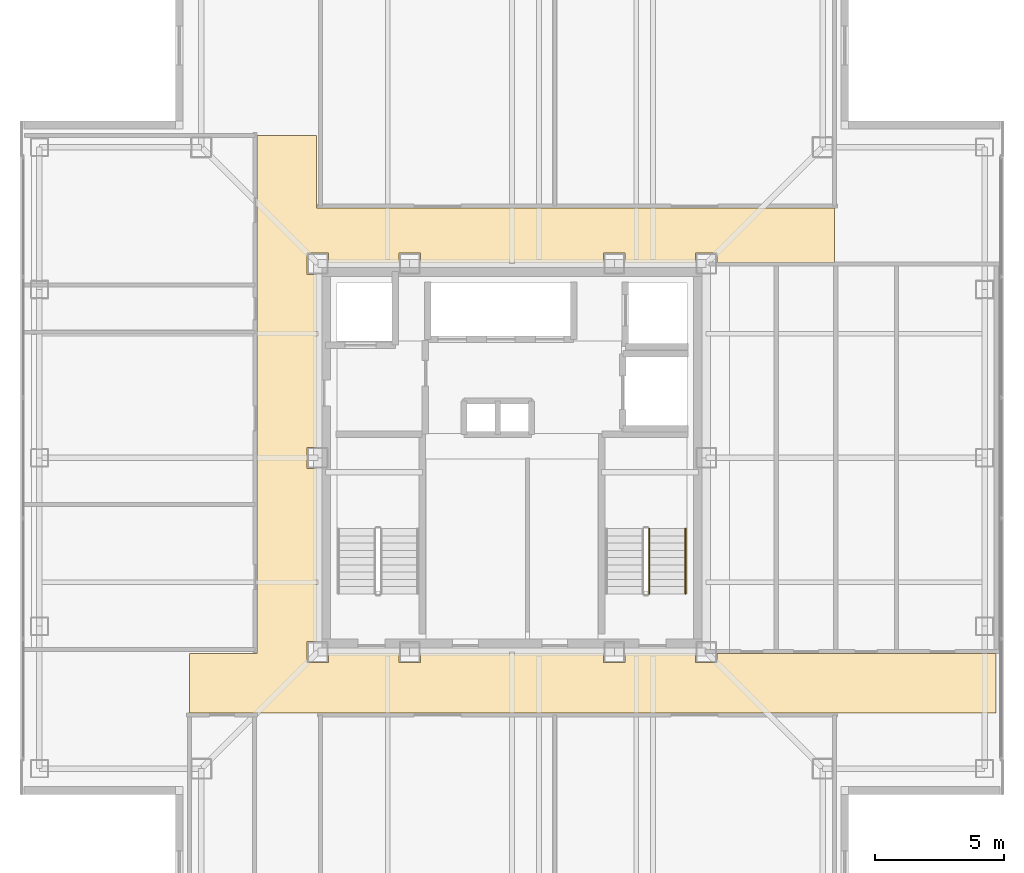
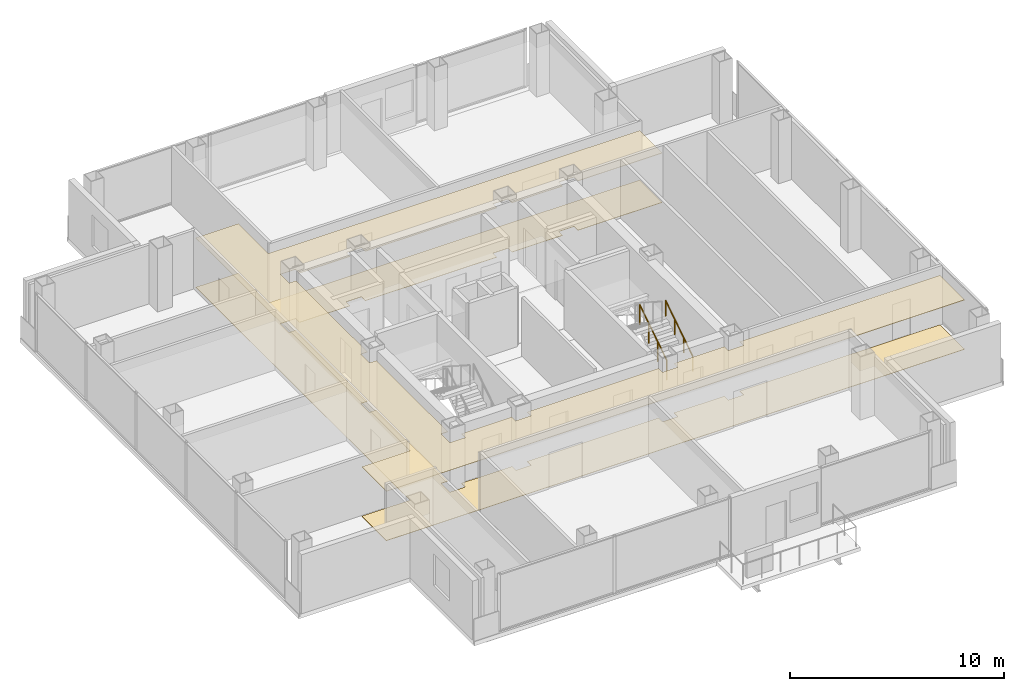
# One storey, part 13 of 15: 2 coverings, 2 railings.
"""IFC4 building model written with IfcOpenShell, lengths in metres."""

from ifc_helpers import new_model, si_unit, direction, frame, origin, origin_2d, place, context, subcontext, project, spatial, polyline, circle, outline, extrude, material, layer, layer_set, type_object, element, save


model = new_model("IFC4")

# Units and contexts
model_context = context("Model", 3, precision=1e-05, world=origin(), true_north=direction((0.0, 1.0)))
body_context = subcontext(model_context, "Body", "Model", "MODEL_VIEW")
ifc_project = project(units=[si_unit("LENGTHUNIT", "METRE"), si_unit("AREAUNIT", "SQUARE_METRE"), si_unit("VOLUMEUNIT", "CUBIC_METRE"), si_unit("PLANEANGLEUNIT", "RADIAN"), si_unit("MASSUNIT", "GRAM", prefix="KILO")], contexts=[model_context])

# Site, building, storey
site_placement = place(None, origin())
site = spatial("IfcSite", under=ifc_project, at=site_placement, CompositionType="ELEMENT")
building_placement = place(site_placement, origin())
building = spatial("IfcBuilding", under=site, at=building_placement, Name="Trevonay Congress Spire", CompositionType="ELEMENT")
storey_placement = place(building_placement, frame((0.0, 0.0, 275.60009765625)))
storey = spatial("IfcBuildingStorey", under=building, at=storey_placement, Name="L72", CompositionType="ELEMENT", Elevation=275.60009765625)

# Coverings
ifc_material_1 = material(Name="Acoustic Mineral Fibre Board", Category="gypsum")
ifc_layer_1 = layer(ifc_material_1, 0.02490234375, Name="Acoustic Mineral Fibre Board")
ifc_layer_set_1 = layer_set([ifc_layer_1], Name="Acoustic Mineral Fibre Board")
covering_type_1 = type_object("IfcCoveringType", Name="COV-CEIL-ACOUSTIC", PredefinedType="CEILING", material=ifc_layer_set_1)
covering_1_placement = place(storey_placement, frame((0.0, 0.0, 2.809814453125)))
element("IfcCovering", 1, at=covering_1_placement, inside=storey, type_object=covering_type_1, Name="L72 Cruciform Boulevard Corridor acoustic suspended ceiling", PredefinedType="CEILING", context=body_context, shape_type="SweptSolid", body=[
    extrude(outline(polyline([(18.699951171875, -7.550048828125), (18.699951171875, -9.85009765625), (-12.449951171875, -9.85009765625), (-12.449951171875, -7.550048828125), (-9.85009765625, -7.550048828125), (-9.85009765625, 12.449951171875), (-7.550048828125, 12.449951171875), (-7.550048828125, 9.64990234375), (12.449951171875, 9.64990234375), (12.449951171875, 7.550048828125), (7.909912109375, 7.550048828125), (7.909912109375, 7.909912109375), (7.090087890625, 7.909912109375), (7.090087890625, 7.550048828125), (4.360107421875, 7.550048828125), (4.360107421875, 7.909912109375), (3.5400390625, 7.909912109375), (3.5400390625, 7.550048828125), (-3.5400390625, 7.550048828125), (-3.5400390625, 7.909912109375), (-4.360107421875, 7.909912109375), (-4.360107421875, 7.550048828125), (-7.090087890625, 7.550048828125), (-7.090087890625, 7.909912109375), (-7.909912109375, 7.909912109375), (-7.909912109375, 7.090087890625), (-7.550048828125, 7.090087890625), (-7.550048828125, 0.409912109375), (-7.909912109375, 0.409912109375), (-7.909912109375, -0.409912109375), (-7.550048828125, -0.409912109375), (-7.550048828125, -7.090087890625), (-7.909912109375, -7.090087890625), (-7.909912109375, -7.909912109375), (-7.090087890625, -7.909912109375), (-7.090087890625, -7.550048828125), (-4.360107421875, -7.550048828125), (-4.360107421875, -7.909912109375), (-3.5400390625, -7.909912109375), (-3.5400390625, -7.550048828125), (3.5400390625, -7.550048828125), (3.5400390625, -7.909912109375), (4.360107421875, -7.909912109375), (4.360107421875, -7.550048828125), (7.090087890625, -7.550048828125), (7.090087890625, -7.909912109375), (7.909912109375, -7.909912109375), (7.909912109375, -7.550048828125), (18.699951171875, -7.550048828125)])), origin(), (0.0, 0.0, 1.0), 0.025146484375),
])
ifc_material_2 = material(Name="Polished Granite Floor Tile", Category="masonry")
ifc_layer_2 = layer(ifc_material_2, 0.02001953125, Name="Polished Granite Floor Tile")
ifc_layer_set_2 = layer_set([ifc_layer_2], Name="Polished Granite Floor Tile")
covering_type_2 = type_object("IfcCoveringType", Name="COV-FLOOR-STONE", PredefinedType="FLOORING", material=ifc_layer_set_2)
covering_2_placement = place(storey_placement, origin())
element("IfcCovering", 2, at=covering_2_placement, inside=storey, type_object=covering_type_2, Name="L72 Cruciform Boulevard Corridor floor finish", PredefinedType="FLOORING", context=body_context, shape_type="SweptSolid", body=[
    extrude(outline(polyline([(18.699951171875, -7.550048828125), (18.699951171875, -9.85009765625), (-12.449951171875, -9.85009765625), (-12.449951171875, -7.550048828125), (-9.85009765625, -7.550048828125), (-9.85009765625, 12.449951171875), (-7.550048828125, 12.449951171875), (-7.550048828125, 9.64990234375), (12.449951171875, 9.64990234375), (12.449951171875, 7.550048828125), (7.909912109375, 7.550048828125), (7.909912109375, 7.909912109375), (7.090087890625, 7.909912109375), (7.090087890625, 7.550048828125), (4.360107421875, 7.550048828125), (4.360107421875, 7.909912109375), (3.5400390625, 7.909912109375), (3.5400390625, 7.550048828125), (-3.5400390625, 7.550048828125), (-3.5400390625, 7.909912109375), (-4.360107421875, 7.909912109375), (-4.360107421875, 7.550048828125), (-7.090087890625, 7.550048828125), (-7.090087890625, 7.909912109375), (-7.909912109375, 7.909912109375), (-7.909912109375, 7.090087890625), (-7.550048828125, 7.090087890625), (-7.550048828125, 0.409912109375), (-7.909912109375, 0.409912109375), (-7.909912109375, -0.409912109375), (-7.550048828125, -0.409912109375), (-7.550048828125, -7.090087890625), (-7.909912109375, -7.090087890625), (-7.909912109375, -7.909912109375), (-7.090087890625, -7.909912109375), (-7.090087890625, -7.550048828125), (-4.360107421875, -7.550048828125), (-4.360107421875, -7.909912109375), (-3.5400390625, -7.909912109375), (-3.5400390625, -7.550048828125), (3.5400390625, -7.550048828125), (3.5400390625, -7.909912109375), (4.360107421875, -7.909912109375), (4.360107421875, -7.550048828125), (7.090087890625, -7.550048828125), (7.090087890625, -7.909912109375), (7.909912109375, -7.909912109375), (7.909912109375, -7.550048828125), (18.699951171875, -7.550048828125)])), origin(), (0.0, 0.0, 1.0), 0.02001953125),
])

# Railings
ifc_material_3 = material(Name="Pale Anodised Aluminium EN AW-6063-T6", Category="aluminium")
railing_type_1 = type_object("IfcRailingType", Name="RAL-STAIR-GUARD-110", PredefinedType="GUARDRAIL", material=ifc_material_3)
railing_1_placement = place(storey_placement, frame((5.300048828125, -5.25, 0.179931640625)))
element("IfcRailing", 3, at=railing_1_placement, inside=storey, type_object=railing_type_1, Name="L72 ST-2 stair guard 1", PredefinedType="GUARDRAIL", context=body_context, shape_type="SweptSolid", body=[
    extrude(circle(Radius=0.02392578125, at=origin_2d()), frame((0.0, 0.0, 1.1259765625), z_axis=(0.0, 0.841199657755, 0.540724639528), x_axis=(-1.0, 0.0, 0.0)), (0.0, 0.0, 1.0), 2.995849609375),
    extrude(circle(Radius=0.02099609375, at=origin_2d()), origin(), (0.0, 0.0, 1.0), 1.101806640625),
    extrude(circle(Radius=0.02099609375, at=origin_2d()), frame((0.0, 0.840087890625, 0.5400390625)), (0.0, 0.0, 1.0), 1.101806640625),
    extrude(circle(Radius=0.02099609375, at=origin_2d()), frame((0.0, 1.679931640625, 1.079833984375)), (0.0, 0.0, 1.0), 1.101806640625),
    extrude(circle(Radius=0.02099609375, at=origin_2d()), frame((0.0, 2.52001953125, 1.619873046875)), (0.0, 0.0, 1.0), 1.101806640625),
])
railing_type_2 = type_object("IfcRailingType", Name="RAL-STAIR-HANDRAIL", PredefinedType="HANDRAIL", material=ifc_material_3)
railing_2_placement = place(storey_placement, frame((6.699951171875, -5.25, 0.179931640625)))
element("IfcRailing", 4, at=railing_2_placement, inside=storey, type_object=railing_type_2, Name="L72 ST-2 stair handrail 1", PredefinedType="HANDRAIL", context=body_context, shape_type="SweptSolid", body=[
    extrude(circle(Radius=0.02392578125, at=origin_2d()), frame((0.0, 0.0, 0.8759765625), z_axis=(0.0, 0.841199657755, 0.540724639528), x_axis=(-1.0, 0.0, 0.0)), (0.0, 0.0, 1.0), 2.995849609375),
    extrude(circle(Radius=0.02099609375, at=origin_2d()), origin(), (0.0, 0.0, 1.0), 0.851806640625),
    extrude(circle(Radius=0.02099609375, at=origin_2d()), frame((0.0, 0.840087890625, 0.5400390625)), (0.0, 0.0, 1.0), 0.851806640625),
    extrude(circle(Radius=0.02099609375, at=origin_2d()), frame((0.0, 1.679931640625, 1.079833984375)), (0.0, 0.0, 1.0), 0.851806640625),
    extrude(circle(Radius=0.02099609375, at=origin_2d()), frame((0.0, 2.52001953125, 1.619873046875)), (0.0, 0.0, 1.0), 0.851806640625),
])

save(model, "model.ifc")
